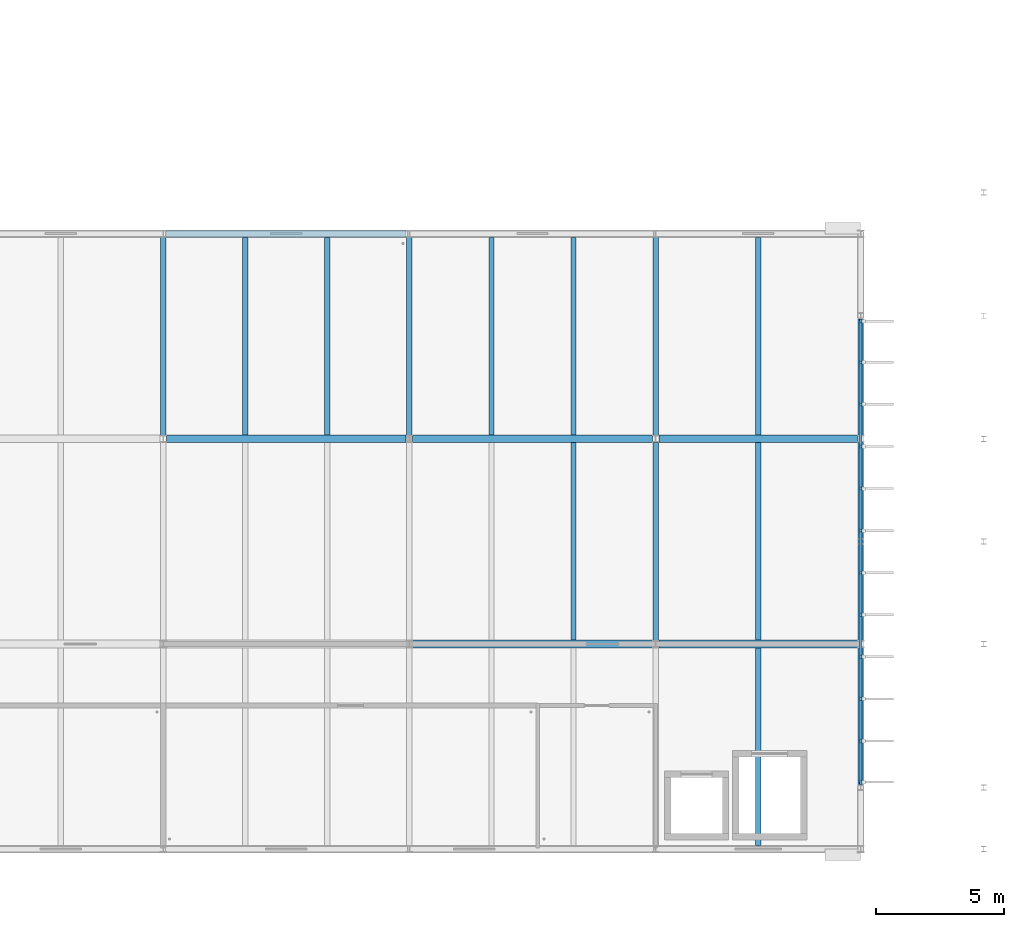
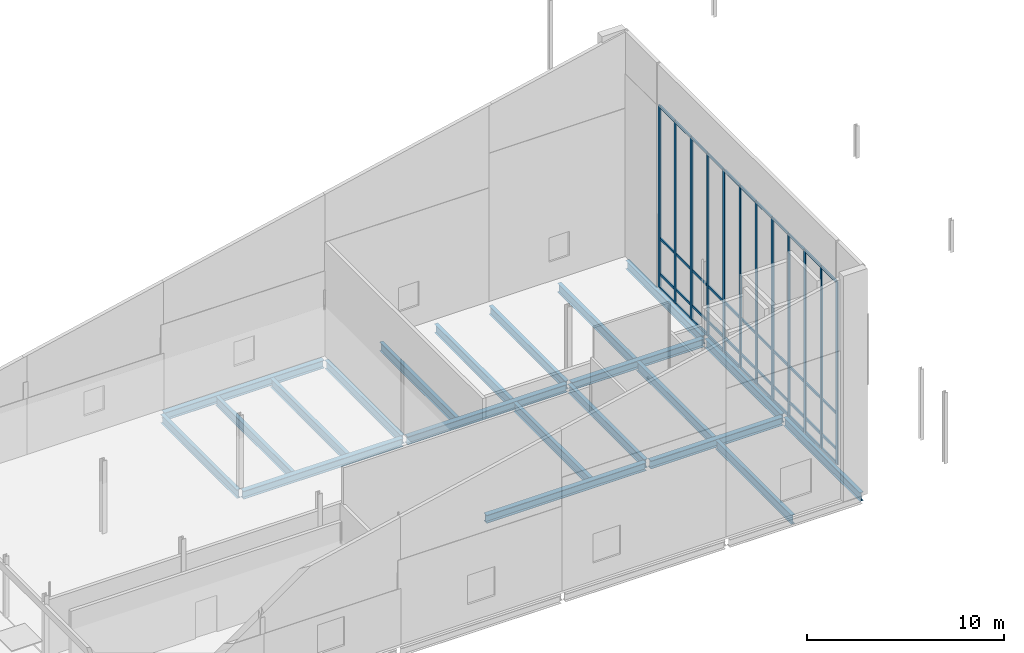
# One storey, part 24 of 59: 56 members, 21 beams, 1 element without a shape of its own.
"""IFC4 building model written with IfcOpenShell, lengths in metres."""

from ifc_helpers import new_model, si_unit, direction, frame, origin, origin_2d, place, context, subcontext, project, spatial, rectangle, i_section, extrude, material, material_profile, profile_set, type_object, element, aggregate, save


model = new_model("IFC4")

# Units and contexts
model_context = context("Model", 3, precision=1e-05, world=origin(), true_north=direction((0.0, 1.0)))
body_context = subcontext(model_context, "Body", "Model", "MODEL_VIEW")
ifc_project = project(units=[si_unit("LENGTHUNIT", "METRE"), si_unit("AREAUNIT", "SQUARE_METRE"), si_unit("VOLUMEUNIT", "CUBIC_METRE"), si_unit("PLANEANGLEUNIT", "RADIAN"), si_unit("MASSUNIT", "GRAM", prefix="KILO")], contexts=[model_context])

# Site, building, storey
site_placement = place(None, origin())
site = spatial("IfcSite", under=ifc_project, at=site_placement, CompositionType="ELEMENT")
building_placement = place(site_placement, origin())
building = spatial("IfcBuilding", under=site, at=building_placement, Name="Dunescarp Central Library", CompositionType="ELEMENT")
storey_placement = place(building_placement, frame((0.0, 0.0, 18.60009765625)))
storey = spatial("IfcBuildingStorey", under=building, at=storey_placement, Name="L04", CompositionType="ELEMENT", Elevation=18.60009765625)

# Curtain wall, members
ifc_material_1 = material(Name="Marine-grade anodised aluminium 6063-T6", Category="aluminium")
curtain_wall_type = type_object("IfcCurtainWallType", Name="ARC-CW-STICK", PredefinedType="NOTDEFINED", material=ifc_material_1)
curtain_wall_placement = place(storey_placement, origin())
curtain_wall = element("IfcCurtainWall", 1, at=curtain_wall_placement, inside=storey, type_object=curtain_wall_type, Name="L04 curtain wall CW-V3-108", PredefinedType="NOTDEFINED")
ifc_material_profile_1 = material_profile(ifc_material_1, rectangle(XDim=0.080078125, YDim=0.179931640625, at=origin_2d()), Name="AL 80x180")
ifc_profile_set_1 = profile_set([ifc_material_profile_1], Name="Marine-grade anodised aluminium 6063-T6")
member_type_1 = type_object("IfcMemberType", Name="ARC-CWM-180", PredefinedType="MULLION", material=ifc_profile_set_1)
member_1_placement = place(storey_placement, frame((124.800048828125, 25.385009765625, 0.0), z_axis=(0.0, 0.0, 1.0), x_axis=(1.0, 0.0, 0.0)))
member_1 = element("IfcMember", 2, at=member_1_placement, type_object=member_type_1, Name="CW-V3-108 mullion 1", PredefinedType="MULLION", context=body_context, shape_type="SweptSolid", body=[
    extrude(rectangle(XDim=0.080078125, YDim=0.179931640625, at=origin_2d()), origin(), (0.0, 0.0, 1.0), 11.2939453125),
])
member_2_placement = place(storey_placement, frame((124.800048828125, 23.7841796875, 0.0), z_axis=(0.0, 0.0, 1.0), x_axis=(1.0, 0.0, 0.0)))
member_2 = element("IfcMember", 3, at=member_2_placement, type_object=member_type_1, Name="CW-V3-108 mullion 2", PredefinedType="MULLION", context=body_context, shape_type="SweptSolid", body=[
    extrude(rectangle(XDim=0.080078125, YDim=0.179931640625, at=origin_2d()), origin(), (0.0, 0.0, 1.0), 11.2939453125),
])
member_3_placement = place(storey_placement, frame((124.800048828125, 22.14306640625, 0.0), z_axis=(0.0, 0.0, 1.0), x_axis=(1.0, 0.0, 0.0)))
member_3 = element("IfcMember", 4, at=member_3_placement, type_object=member_type_1, Name="CW-V3-108 mullion 3", PredefinedType="MULLION", context=body_context, shape_type="SweptSolid", body=[
    extrude(rectangle(XDim=0.080078125, YDim=0.179931640625, at=origin_2d()), origin(), (0.0, 0.0, 1.0), 11.2939453125),
])
member_4_placement = place(storey_placement, frame((124.800048828125, 20.502197265625, 0.0), z_axis=(0.0, 0.0, 1.0), x_axis=(1.0, 0.0, 0.0)))
member_4 = element("IfcMember", 5, at=member_4_placement, type_object=member_type_1, Name="CW-V3-108 mullion 4", PredefinedType="MULLION", context=body_context, shape_type="SweptSolid", body=[
    extrude(rectangle(XDim=0.080078125, YDim=0.179931640625, at=origin_2d()), origin(), (0.0, 0.0, 1.0), 11.2939453125),
])
member_5_placement = place(storey_placement, frame((124.800048828125, 18.861328125, 0.0), z_axis=(0.0, 0.0, 1.0), x_axis=(1.0, 0.0, 0.0)))
member_5 = element("IfcMember", 6, at=member_5_placement, type_object=member_type_1, Name="CW-V3-108 mullion 5", PredefinedType="MULLION", context=body_context, shape_type="SweptSolid", body=[
    extrude(rectangle(XDim=0.080078125, YDim=0.179931640625, at=origin_2d()), origin(), (0.0, 0.0, 1.0), 11.2939453125),
])
member_6_placement = place(storey_placement, frame((124.800048828125, 17.220458984375, 0.0), z_axis=(0.0, 0.0, 1.0), x_axis=(1.0, 0.0, 0.0)))
member_6 = element("IfcMember", 7, at=member_6_placement, type_object=member_type_1, Name="CW-V3-108 mullion 6", PredefinedType="MULLION", context=body_context, shape_type="SweptSolid", body=[
    extrude(rectangle(XDim=0.080078125, YDim=0.179931640625, at=origin_2d()), origin(), (0.0, 0.0, 1.0), 11.2939453125),
])
member_7_placement = place(storey_placement, frame((124.800048828125, 15.57958984375, 0.0), z_axis=(0.0, 0.0, 1.0), x_axis=(1.0, 0.0, 0.0)))
member_7 = element("IfcMember", 8, at=member_7_placement, type_object=member_type_1, Name="CW-V3-108 mullion 7", PredefinedType="MULLION", context=body_context, shape_type="SweptSolid", body=[
    extrude(rectangle(XDim=0.080078125, YDim=0.179931640625, at=origin_2d()), origin(), (0.0, 0.0, 1.0), 11.2939453125),
])
member_8_placement = place(storey_placement, frame((124.800048828125, 13.938720703125, 0.0), z_axis=(0.0, 0.0, 1.0), x_axis=(1.0, 0.0, 0.0)))
member_8 = element("IfcMember", 9, at=member_8_placement, type_object=member_type_1, Name="CW-V3-108 mullion 8", PredefinedType="MULLION", context=body_context, shape_type="SweptSolid", body=[
    extrude(rectangle(XDim=0.080078125, YDim=0.179931640625, at=origin_2d()), origin(), (0.0, 0.0, 1.0), 11.2939453125),
])
member_9_placement = place(storey_placement, frame((124.800048828125, 12.297607421875, 0.0), z_axis=(0.0, 0.0, 1.0), x_axis=(1.0, 0.0, 0.0)))
member_9 = element("IfcMember", 10, at=member_9_placement, type_object=member_type_1, Name="CW-V3-108 mullion 9", PredefinedType="MULLION", context=body_context, shape_type="SweptSolid", body=[
    extrude(rectangle(XDim=0.080078125, YDim=0.179931640625, at=origin_2d()), origin(), (0.0, 0.0, 1.0), 11.2939453125),
])
member_10_placement = place(storey_placement, frame((124.800048828125, 10.65673828125, 0.0), z_axis=(0.0, 0.0, 1.0), x_axis=(1.0, 0.0, 0.0)))
member_10 = element("IfcMember", 11, at=member_10_placement, type_object=member_type_1, Name="CW-V3-108 mullion 10", PredefinedType="MULLION", context=body_context, shape_type="SweptSolid", body=[
    extrude(rectangle(XDim=0.080078125, YDim=0.179931640625, at=origin_2d()), origin(), (0.0, 0.0, 1.0), 11.2939453125),
])
member_11_placement = place(storey_placement, frame((124.800048828125, 9.015869140625, 0.0), z_axis=(0.0, 0.0, 1.0), x_axis=(1.0, 0.0, 0.0)))
member_11 = element("IfcMember", 12, at=member_11_placement, type_object=member_type_1, Name="CW-V3-108 mullion 11", PredefinedType="MULLION", context=body_context, shape_type="SweptSolid", body=[
    extrude(rectangle(XDim=0.080078125, YDim=0.179931640625, at=origin_2d()), origin(), (0.0, 0.0, 1.0), 11.2939453125),
])
member_12_placement = place(storey_placement, frame((124.800048828125, 7.4150390625, 0.0), z_axis=(0.0, 0.0, 1.0), x_axis=(1.0, 0.0, 0.0)))
member_12 = element("IfcMember", 13, at=member_12_placement, type_object=member_type_1, Name="CW-V3-108 mullion 12", PredefinedType="MULLION", context=body_context, shape_type="SweptSolid", body=[
    extrude(rectangle(XDim=0.080078125, YDim=0.179931640625, at=origin_2d()), origin(), (0.0, 0.0, 1.0), 11.2939453125),
])
ifc_material_profile_2 = material_profile(ifc_material_1, rectangle(XDim=0.080078125, YDim=0.14990234375, at=origin_2d()), Name="AL 80x150")
ifc_profile_set_2 = profile_set([ifc_material_profile_2], Name="Marine-grade anodised aluminium 6063-T6")
member_type_2 = type_object("IfcMemberType", Name="ARC-CWT-150", PredefinedType="USERDEFINED", material=ifc_profile_set_2)
member_13_placement = place(storey_placement, frame((124.800048828125, 25.344970703125, 0.039794921875), z_axis=(0.0, -1.0, 0.0), x_axis=(1.0, 0.0, 0.0)))
member_13 = element("IfcMember", 14, at=member_13_placement, type_object=member_type_2, Name="CW-V3-108 transom 1.1", ObjectType="TRANSOM", PredefinedType="USERDEFINED", context=body_context, shape_type="SweptSolid", body=[
    extrude(rectangle(XDim=0.080078125, YDim=0.14990234375, at=origin_2d()), origin(), (0.0, 0.0, 1.0), 1.52099609375),
])
member_14_placement = place(storey_placement, frame((124.800048828125, 25.344970703125, 0.89990234375), z_axis=(0.0, -1.0, 0.0), x_axis=(1.0, 0.0, 0.0)))
member_14 = element("IfcMember", 15, at=member_14_placement, type_object=member_type_2, Name="CW-V3-108 transom 1.2", ObjectType="TRANSOM", PredefinedType="USERDEFINED", context=body_context, shape_type="SweptSolid", body=[
    extrude(rectangle(XDim=0.080078125, YDim=0.14990234375, at=origin_2d()), origin(), (0.0, 0.0, 1.0), 1.52099609375),
])
member_15_placement = place(storey_placement, frame((124.800048828125, 25.344970703125, 3.099853515625), z_axis=(0.0, -1.0, 0.0), x_axis=(1.0, 0.0, 0.0)))
member_15 = element("IfcMember", 16, at=member_15_placement, type_object=member_type_2, Name="CW-V3-108 transom 1.3", ObjectType="TRANSOM", PredefinedType="USERDEFINED", context=body_context, shape_type="SweptSolid", body=[
    extrude(rectangle(XDim=0.080078125, YDim=0.14990234375, at=origin_2d()), origin(), (0.0, 0.0, 1.0), 1.52099609375),
])
member_16_placement = place(storey_placement, frame((124.800048828125, 25.344970703125, 11.25390625), z_axis=(0.0, -1.0, 0.0), x_axis=(1.0, 0.0, 0.0)))
member_16 = element("IfcMember", 17, at=member_16_placement, type_object=member_type_2, Name="CW-V3-108 transom 1.4", ObjectType="TRANSOM", PredefinedType="USERDEFINED", context=body_context, shape_type="SweptSolid", body=[
    extrude(rectangle(XDim=0.080078125, YDim=0.14990234375, at=origin_2d()), origin(), (0.0, 0.0, 1.0), 1.52099609375),
])
member_17_placement = place(storey_placement, frame((124.800048828125, 23.744140625, 0.039794921875), z_axis=(0.0, -1.0, 0.0), x_axis=(1.0, 0.0, 0.0)))
member_17 = element("IfcMember", 18, at=member_17_placement, type_object=member_type_2, Name="CW-V3-108 transom 2.1", ObjectType="TRANSOM", PredefinedType="USERDEFINED", context=body_context, shape_type="SweptSolid", body=[
    extrude(rectangle(XDim=0.080078125, YDim=0.14990234375, at=origin_2d()), origin(), (0.0, 0.0, 1.0), 1.56103515625),
])
member_18_placement = place(storey_placement, frame((124.800048828125, 23.744140625, 0.89990234375), z_axis=(0.0, -1.0, 0.0), x_axis=(1.0, 0.0, 0.0)))
member_18 = element("IfcMember", 19, at=member_18_placement, type_object=member_type_2, Name="CW-V3-108 transom 2.2", ObjectType="TRANSOM", PredefinedType="USERDEFINED", context=body_context, shape_type="SweptSolid", body=[
    extrude(rectangle(XDim=0.080078125, YDim=0.14990234375, at=origin_2d()), origin(), (0.0, 0.0, 1.0), 1.56103515625),
])
member_19_placement = place(storey_placement, frame((124.800048828125, 23.744140625, 3.099853515625), z_axis=(0.0, -1.0, 0.0), x_axis=(1.0, 0.0, 0.0)))
member_19 = element("IfcMember", 20, at=member_19_placement, type_object=member_type_2, Name="CW-V3-108 transom 2.3", ObjectType="TRANSOM", PredefinedType="USERDEFINED", context=body_context, shape_type="SweptSolid", body=[
    extrude(rectangle(XDim=0.080078125, YDim=0.14990234375, at=origin_2d()), origin(), (0.0, 0.0, 1.0), 1.56103515625),
])
member_20_placement = place(storey_placement, frame((124.800048828125, 23.744140625, 11.25390625), z_axis=(0.0, -1.0, 0.0), x_axis=(1.0, 0.0, 0.0)))
member_20 = element("IfcMember", 21, at=member_20_placement, type_object=member_type_2, Name="CW-V3-108 transom 2.4", ObjectType="TRANSOM", PredefinedType="USERDEFINED", context=body_context, shape_type="SweptSolid", body=[
    extrude(rectangle(XDim=0.080078125, YDim=0.14990234375, at=origin_2d()), origin(), (0.0, 0.0, 1.0), 1.56103515625),
])
member_21_placement = place(storey_placement, frame((124.800048828125, 22.103271484375, 0.039794921875), z_axis=(0.0, -1.0, 0.0), x_axis=(1.0, 0.0, 0.0)))
member_21 = element("IfcMember", 22, at=member_21_placement, type_object=member_type_2, Name="CW-V3-108 transom 3.1", ObjectType="TRANSOM", PredefinedType="USERDEFINED", context=body_context, shape_type="SweptSolid", body=[
    extrude(rectangle(XDim=0.080078125, YDim=0.14990234375, at=origin_2d()), origin(), (0.0, 0.0, 1.0), 1.56103515625),
])
member_22_placement = place(storey_placement, frame((124.800048828125, 22.103271484375, 0.89990234375), z_axis=(0.0, -1.0, 0.0), x_axis=(1.0, 0.0, 0.0)))
member_22 = element("IfcMember", 23, at=member_22_placement, type_object=member_type_2, Name="CW-V3-108 transom 3.2", ObjectType="TRANSOM", PredefinedType="USERDEFINED", context=body_context, shape_type="SweptSolid", body=[
    extrude(rectangle(XDim=0.080078125, YDim=0.14990234375, at=origin_2d()), origin(), (0.0, 0.0, 1.0), 1.56103515625),
])
member_23_placement = place(storey_placement, frame((124.800048828125, 22.103271484375, 3.099853515625), z_axis=(0.0, -1.0, 0.0), x_axis=(1.0, 0.0, 0.0)))
member_23 = element("IfcMember", 24, at=member_23_placement, type_object=member_type_2, Name="CW-V3-108 transom 3.3", ObjectType="TRANSOM", PredefinedType="USERDEFINED", context=body_context, shape_type="SweptSolid", body=[
    extrude(rectangle(XDim=0.080078125, YDim=0.14990234375, at=origin_2d()), origin(), (0.0, 0.0, 1.0), 1.56103515625),
])
member_24_placement = place(storey_placement, frame((124.800048828125, 22.103271484375, 11.25390625), z_axis=(0.0, -1.0, 0.0), x_axis=(1.0, 0.0, 0.0)))
member_24 = element("IfcMember", 25, at=member_24_placement, type_object=member_type_2, Name="CW-V3-108 transom 3.4", ObjectType="TRANSOM", PredefinedType="USERDEFINED", context=body_context, shape_type="SweptSolid", body=[
    extrude(rectangle(XDim=0.080078125, YDim=0.14990234375, at=origin_2d()), origin(), (0.0, 0.0, 1.0), 1.56103515625),
])
member_25_placement = place(storey_placement, frame((124.800048828125, 20.462158203125, 0.039794921875), z_axis=(0.0, -1.0, 0.0), x_axis=(1.0, 0.0, 0.0)))
member_25 = element("IfcMember", 26, at=member_25_placement, type_object=member_type_2, Name="CW-V3-108 transom 4.1", ObjectType="TRANSOM", PredefinedType="USERDEFINED", context=body_context, shape_type="SweptSolid", body=[
    extrude(rectangle(XDim=0.080078125, YDim=0.14990234375, at=origin_2d()), origin(), (0.0, 0.0, 1.0), 1.560791015625),
])
member_26_placement = place(storey_placement, frame((124.800048828125, 20.462158203125, 0.89990234375), z_axis=(0.0, -1.0, 0.0), x_axis=(1.0, 0.0, 0.0)))
member_26 = element("IfcMember", 27, at=member_26_placement, type_object=member_type_2, Name="CW-V3-108 transom 4.2", ObjectType="TRANSOM", PredefinedType="USERDEFINED", context=body_context, shape_type="SweptSolid", body=[
    extrude(rectangle(XDim=0.080078125, YDim=0.14990234375, at=origin_2d()), origin(), (0.0, 0.0, 1.0), 1.560791015625),
])
member_27_placement = place(storey_placement, frame((124.800048828125, 20.462158203125, 3.099853515625), z_axis=(0.0, -1.0, 0.0), x_axis=(1.0, 0.0, 0.0)))
member_27 = element("IfcMember", 28, at=member_27_placement, type_object=member_type_2, Name="CW-V3-108 transom 4.3", ObjectType="TRANSOM", PredefinedType="USERDEFINED", context=body_context, shape_type="SweptSolid", body=[
    extrude(rectangle(XDim=0.080078125, YDim=0.14990234375, at=origin_2d()), origin(), (0.0, 0.0, 1.0), 1.560791015625),
])
member_28_placement = place(storey_placement, frame((124.800048828125, 20.462158203125, 11.25390625), z_axis=(0.0, -1.0, 0.0), x_axis=(1.0, 0.0, 0.0)))
member_28 = element("IfcMember", 29, at=member_28_placement, type_object=member_type_2, Name="CW-V3-108 transom 4.4", ObjectType="TRANSOM", PredefinedType="USERDEFINED", context=body_context, shape_type="SweptSolid", body=[
    extrude(rectangle(XDim=0.080078125, YDim=0.14990234375, at=origin_2d()), origin(), (0.0, 0.0, 1.0), 1.560791015625),
])
member_29_placement = place(storey_placement, frame((124.800048828125, 18.8212890625, 0.039794921875), z_axis=(0.0, -1.0, 0.0), x_axis=(1.0, 0.0, 0.0)))
member_29 = element("IfcMember", 30, at=member_29_placement, type_object=member_type_2, Name="CW-V3-108 transom 5.1", ObjectType="TRANSOM", PredefinedType="USERDEFINED", context=body_context, shape_type="SweptSolid", body=[
    extrude(rectangle(XDim=0.080078125, YDim=0.14990234375, at=origin_2d()), origin(), (0.0, 0.0, 1.0), 1.560791015625),
])
member_30_placement = place(storey_placement, frame((124.800048828125, 18.8212890625, 0.89990234375), z_axis=(0.0, -1.0, 0.0), x_axis=(1.0, 0.0, 0.0)))
member_30 = element("IfcMember", 31, at=member_30_placement, type_object=member_type_2, Name="CW-V3-108 transom 5.2", ObjectType="TRANSOM", PredefinedType="USERDEFINED", context=body_context, shape_type="SweptSolid", body=[
    extrude(rectangle(XDim=0.080078125, YDim=0.14990234375, at=origin_2d()), origin(), (0.0, 0.0, 1.0), 1.560791015625),
])
member_31_placement = place(storey_placement, frame((124.800048828125, 18.8212890625, 3.099853515625), z_axis=(0.0, -1.0, 0.0), x_axis=(1.0, 0.0, 0.0)))
member_31 = element("IfcMember", 32, at=member_31_placement, type_object=member_type_2, Name="CW-V3-108 transom 5.3", ObjectType="TRANSOM", PredefinedType="USERDEFINED", context=body_context, shape_type="SweptSolid", body=[
    extrude(rectangle(XDim=0.080078125, YDim=0.14990234375, at=origin_2d()), origin(), (0.0, 0.0, 1.0), 1.560791015625),
])
member_32_placement = place(storey_placement, frame((124.800048828125, 18.8212890625, 11.25390625), z_axis=(0.0, -1.0, 0.0), x_axis=(1.0, 0.0, 0.0)))
member_32 = element("IfcMember", 33, at=member_32_placement, type_object=member_type_2, Name="CW-V3-108 transom 5.4", ObjectType="TRANSOM", PredefinedType="USERDEFINED", context=body_context, shape_type="SweptSolid", body=[
    extrude(rectangle(XDim=0.080078125, YDim=0.14990234375, at=origin_2d()), origin(), (0.0, 0.0, 1.0), 1.560791015625),
])
member_33_placement = place(storey_placement, frame((124.800048828125, 17.180419921875, 0.039794921875), z_axis=(0.0, -1.0, 0.0), x_axis=(1.0, 0.0, 0.0)))
member_33 = element("IfcMember", 34, at=member_33_placement, type_object=member_type_2, Name="CW-V3-108 transom 6.1", ObjectType="TRANSOM", PredefinedType="USERDEFINED", context=body_context, shape_type="SweptSolid", body=[
    extrude(rectangle(XDim=0.080078125, YDim=0.14990234375, at=origin_2d()), origin(), (0.0, 0.0, 1.0), 1.560791015625),
])
member_34_placement = place(storey_placement, frame((124.800048828125, 17.180419921875, 0.89990234375), z_axis=(0.0, -1.0, 0.0), x_axis=(1.0, 0.0, 0.0)))
member_34 = element("IfcMember", 35, at=member_34_placement, type_object=member_type_2, Name="CW-V3-108 transom 6.2", ObjectType="TRANSOM", PredefinedType="USERDEFINED", context=body_context, shape_type="SweptSolid", body=[
    extrude(rectangle(XDim=0.080078125, YDim=0.14990234375, at=origin_2d()), origin(), (0.0, 0.0, 1.0), 1.560791015625),
])
member_35_placement = place(storey_placement, frame((124.800048828125, 17.180419921875, 3.099853515625), z_axis=(0.0, -1.0, 0.0), x_axis=(1.0, 0.0, 0.0)))
member_35 = element("IfcMember", 36, at=member_35_placement, type_object=member_type_2, Name="CW-V3-108 transom 6.3", ObjectType="TRANSOM", PredefinedType="USERDEFINED", context=body_context, shape_type="SweptSolid", body=[
    extrude(rectangle(XDim=0.080078125, YDim=0.14990234375, at=origin_2d()), origin(), (0.0, 0.0, 1.0), 1.560791015625),
])
member_36_placement = place(storey_placement, frame((124.800048828125, 17.180419921875, 11.25390625), z_axis=(0.0, -1.0, 0.0), x_axis=(1.0, 0.0, 0.0)))
member_36 = element("IfcMember", 37, at=member_36_placement, type_object=member_type_2, Name="CW-V3-108 transom 6.4", ObjectType="TRANSOM", PredefinedType="USERDEFINED", context=body_context, shape_type="SweptSolid", body=[
    extrude(rectangle(XDim=0.080078125, YDim=0.14990234375, at=origin_2d()), origin(), (0.0, 0.0, 1.0), 1.560791015625),
])
member_37_placement = place(storey_placement, frame((124.800048828125, 15.53955078125, 0.039794921875), z_axis=(0.0, -1.0, 0.0), x_axis=(1.0, 0.0, 0.0)))
member_37 = element("IfcMember", 38, at=member_37_placement, type_object=member_type_2, Name="CW-V3-108 transom 7.1", ObjectType="TRANSOM", PredefinedType="USERDEFINED", context=body_context, shape_type="SweptSolid", body=[
    extrude(rectangle(XDim=0.080078125, YDim=0.14990234375, at=origin_2d()), origin(), (0.0, 0.0, 1.0), 1.56103515625),
])
member_38_placement = place(storey_placement, frame((124.800048828125, 15.53955078125, 0.89990234375), z_axis=(0.0, -1.0, 0.0), x_axis=(1.0, 0.0, 0.0)))
member_38 = element("IfcMember", 39, at=member_38_placement, type_object=member_type_2, Name="CW-V3-108 transom 7.2", ObjectType="TRANSOM", PredefinedType="USERDEFINED", context=body_context, shape_type="SweptSolid", body=[
    extrude(rectangle(XDim=0.080078125, YDim=0.14990234375, at=origin_2d()), origin(), (0.0, 0.0, 1.0), 1.56103515625),
])
member_39_placement = place(storey_placement, frame((124.800048828125, 15.53955078125, 3.099853515625), z_axis=(0.0, -1.0, 0.0), x_axis=(1.0, 0.0, 0.0)))
member_39 = element("IfcMember", 40, at=member_39_placement, type_object=member_type_2, Name="CW-V3-108 transom 7.3", ObjectType="TRANSOM", PredefinedType="USERDEFINED", context=body_context, shape_type="SweptSolid", body=[
    extrude(rectangle(XDim=0.080078125, YDim=0.14990234375, at=origin_2d()), origin(), (0.0, 0.0, 1.0), 1.56103515625),
])
member_40_placement = place(storey_placement, frame((124.800048828125, 15.53955078125, 11.25390625), z_axis=(0.0, -1.0, 0.0), x_axis=(1.0, 0.0, 0.0)))
member_40 = element("IfcMember", 41, at=member_40_placement, type_object=member_type_2, Name="CW-V3-108 transom 7.4", ObjectType="TRANSOM", PredefinedType="USERDEFINED", context=body_context, shape_type="SweptSolid", body=[
    extrude(rectangle(XDim=0.080078125, YDim=0.14990234375, at=origin_2d()), origin(), (0.0, 0.0, 1.0), 1.56103515625),
])
member_41_placement = place(storey_placement, frame((124.800048828125, 13.898681640625, 0.039794921875), z_axis=(0.0, -1.0, 0.0), x_axis=(1.0, 0.0, 0.0)))
member_41 = element("IfcMember", 42, at=member_41_placement, type_object=member_type_2, Name="CW-V3-108 transom 8.1", ObjectType="TRANSOM", PredefinedType="USERDEFINED", context=body_context, shape_type="SweptSolid", body=[
    extrude(rectangle(XDim=0.080078125, YDim=0.14990234375, at=origin_2d()), origin(), (0.0, 0.0, 1.0), 1.56103515625),
])
member_42_placement = place(storey_placement, frame((124.800048828125, 13.898681640625, 0.89990234375), z_axis=(0.0, -1.0, 0.0), x_axis=(1.0, 0.0, 0.0)))
member_42 = element("IfcMember", 43, at=member_42_placement, type_object=member_type_2, Name="CW-V3-108 transom 8.2", ObjectType="TRANSOM", PredefinedType="USERDEFINED", context=body_context, shape_type="SweptSolid", body=[
    extrude(rectangle(XDim=0.080078125, YDim=0.14990234375, at=origin_2d()), origin(), (0.0, 0.0, 1.0), 1.56103515625),
])
member_43_placement = place(storey_placement, frame((124.800048828125, 13.898681640625, 3.099853515625), z_axis=(0.0, -1.0, 0.0), x_axis=(1.0, 0.0, 0.0)))
member_43 = element("IfcMember", 44, at=member_43_placement, type_object=member_type_2, Name="CW-V3-108 transom 8.3", ObjectType="TRANSOM", PredefinedType="USERDEFINED", context=body_context, shape_type="SweptSolid", body=[
    extrude(rectangle(XDim=0.080078125, YDim=0.14990234375, at=origin_2d()), origin(), (0.0, 0.0, 1.0), 1.56103515625),
])
member_44_placement = place(storey_placement, frame((124.800048828125, 13.898681640625, 11.25390625), z_axis=(0.0, -1.0, 0.0), x_axis=(1.0, 0.0, 0.0)))
member_44 = element("IfcMember", 45, at=member_44_placement, type_object=member_type_2, Name="CW-V3-108 transom 8.4", ObjectType="TRANSOM", PredefinedType="USERDEFINED", context=body_context, shape_type="SweptSolid", body=[
    extrude(rectangle(XDim=0.080078125, YDim=0.14990234375, at=origin_2d()), origin(), (0.0, 0.0, 1.0), 1.56103515625),
])
member_45_placement = place(storey_placement, frame((124.800048828125, 12.2578125, 0.039794921875), z_axis=(0.0, -1.0, 0.0), x_axis=(1.0, 0.0, 0.0)))
member_45 = element("IfcMember", 46, at=member_45_placement, type_object=member_type_2, Name="CW-V3-108 transom 9.1", ObjectType="TRANSOM", PredefinedType="USERDEFINED", context=body_context, shape_type="SweptSolid", body=[
    extrude(rectangle(XDim=0.080078125, YDim=0.14990234375, at=origin_2d()), origin(), (0.0, 0.0, 1.0), 1.56103515625),
])
member_46_placement = place(storey_placement, frame((124.800048828125, 12.2578125, 0.89990234375), z_axis=(0.0, -1.0, 0.0), x_axis=(1.0, 0.0, 0.0)))
member_46 = element("IfcMember", 47, at=member_46_placement, type_object=member_type_2, Name="CW-V3-108 transom 9.2", ObjectType="TRANSOM", PredefinedType="USERDEFINED", context=body_context, shape_type="SweptSolid", body=[
    extrude(rectangle(XDim=0.080078125, YDim=0.14990234375, at=origin_2d()), origin(), (0.0, 0.0, 1.0), 1.56103515625),
])
member_47_placement = place(storey_placement, frame((124.800048828125, 12.2578125, 3.099853515625), z_axis=(0.0, -1.0, 0.0), x_axis=(1.0, 0.0, 0.0)))
member_47 = element("IfcMember", 48, at=member_47_placement, type_object=member_type_2, Name="CW-V3-108 transom 9.3", ObjectType="TRANSOM", PredefinedType="USERDEFINED", context=body_context, shape_type="SweptSolid", body=[
    extrude(rectangle(XDim=0.080078125, YDim=0.14990234375, at=origin_2d()), origin(), (0.0, 0.0, 1.0), 1.56103515625),
])
member_48_placement = place(storey_placement, frame((124.800048828125, 12.2578125, 11.25390625), z_axis=(0.0, -1.0, 0.0), x_axis=(1.0, 0.0, 0.0)))
member_48 = element("IfcMember", 49, at=member_48_placement, type_object=member_type_2, Name="CW-V3-108 transom 9.4", ObjectType="TRANSOM", PredefinedType="USERDEFINED", context=body_context, shape_type="SweptSolid", body=[
    extrude(rectangle(XDim=0.080078125, YDim=0.14990234375, at=origin_2d()), origin(), (0.0, 0.0, 1.0), 1.56103515625),
])
member_49_placement = place(storey_placement, frame((124.800048828125, 10.61669921875, 0.039794921875), z_axis=(0.0, -1.0, 0.0), x_axis=(1.0, 0.0, 0.0)))
member_49 = element("IfcMember", 50, at=member_49_placement, type_object=member_type_2, Name="CW-V3-108 transom 10.1", ObjectType="TRANSOM", PredefinedType="USERDEFINED", context=body_context, shape_type="SweptSolid", body=[
    extrude(rectangle(XDim=0.080078125, YDim=0.14990234375, at=origin_2d()), origin(), (0.0, 0.0, 1.0), 1.560791015625),
])
member_50_placement = place(storey_placement, frame((124.800048828125, 10.61669921875, 0.89990234375), z_axis=(0.0, -1.0, 0.0), x_axis=(1.0, 0.0, 0.0)))
member_50 = element("IfcMember", 51, at=member_50_placement, type_object=member_type_2, Name="CW-V3-108 transom 10.2", ObjectType="TRANSOM", PredefinedType="USERDEFINED", context=body_context, shape_type="SweptSolid", body=[
    extrude(rectangle(XDim=0.080078125, YDim=0.14990234375, at=origin_2d()), origin(), (0.0, 0.0, 1.0), 1.560791015625),
])
member_51_placement = place(storey_placement, frame((124.800048828125, 10.61669921875, 3.099853515625), z_axis=(0.0, -1.0, 0.0), x_axis=(1.0, 0.0, 0.0)))
member_51 = element("IfcMember", 52, at=member_51_placement, type_object=member_type_2, Name="CW-V3-108 transom 10.3", ObjectType="TRANSOM", PredefinedType="USERDEFINED", context=body_context, shape_type="SweptSolid", body=[
    extrude(rectangle(XDim=0.080078125, YDim=0.14990234375, at=origin_2d()), origin(), (0.0, 0.0, 1.0), 1.560791015625),
])
member_52_placement = place(storey_placement, frame((124.800048828125, 10.61669921875, 11.25390625), z_axis=(0.0, -1.0, 0.0), x_axis=(1.0, 0.0, 0.0)))
member_52 = element("IfcMember", 53, at=member_52_placement, type_object=member_type_2, Name="CW-V3-108 transom 10.4", ObjectType="TRANSOM", PredefinedType="USERDEFINED", context=body_context, shape_type="SweptSolid", body=[
    extrude(rectangle(XDim=0.080078125, YDim=0.14990234375, at=origin_2d()), origin(), (0.0, 0.0, 1.0), 1.560791015625),
])
member_53_placement = place(storey_placement, frame((124.800048828125, 8.975830078125, 0.039794921875), z_axis=(0.0, -1.0, 0.0), x_axis=(1.0, 0.0, 0.0)))
member_53 = element("IfcMember", 54, at=member_53_placement, type_object=member_type_2, Name="CW-V3-108 transom 11.1", ObjectType="TRANSOM", PredefinedType="USERDEFINED", context=body_context, shape_type="SweptSolid", body=[
    extrude(rectangle(XDim=0.080078125, YDim=0.14990234375, at=origin_2d()), origin(), (0.0, 0.0, 1.0), 1.520751953125),
])
member_54_placement = place(storey_placement, frame((124.800048828125, 8.975830078125, 0.89990234375), z_axis=(0.0, -1.0, 0.0), x_axis=(1.0, 0.0, 0.0)))
member_54 = element("IfcMember", 55, at=member_54_placement, type_object=member_type_2, Name="CW-V3-108 transom 11.2", ObjectType="TRANSOM", PredefinedType="USERDEFINED", context=body_context, shape_type="SweptSolid", body=[
    extrude(rectangle(XDim=0.080078125, YDim=0.14990234375, at=origin_2d()), origin(), (0.0, 0.0, 1.0), 1.520751953125),
])
member_55_placement = place(storey_placement, frame((124.800048828125, 8.975830078125, 3.099853515625), z_axis=(0.0, -1.0, 0.0), x_axis=(1.0, 0.0, 0.0)))
member_55 = element("IfcMember", 56, at=member_55_placement, type_object=member_type_2, Name="CW-V3-108 transom 11.3", ObjectType="TRANSOM", PredefinedType="USERDEFINED", context=body_context, shape_type="SweptSolid", body=[
    extrude(rectangle(XDim=0.080078125, YDim=0.14990234375, at=origin_2d()), origin(), (0.0, 0.0, 1.0), 1.520751953125),
])
member_56_placement = place(storey_placement, frame((124.800048828125, 8.975830078125, 11.25390625), z_axis=(0.0, -1.0, 0.0), x_axis=(1.0, 0.0, 0.0)))
member_56 = element("IfcMember", 57, at=member_56_placement, type_object=member_type_2, Name="CW-V3-108 transom 11.4", ObjectType="TRANSOM", PredefinedType="USERDEFINED", context=body_context, shape_type="SweptSolid", body=[
    extrude(rectangle(XDim=0.080078125, YDim=0.14990234375, at=origin_2d()), origin(), (0.0, 0.0, 1.0), 1.520751953125),
])
aggregate(curtain_wall, [member_1, member_2, member_3, member_4, member_5, member_6, member_7, member_8, member_9, member_10, member_11, member_12, member_13, member_14, member_15, member_16, member_17, member_18, member_19, member_20, member_21, member_22, member_23, member_24, member_25, member_26, member_27, member_28, member_29, member_30, member_31, member_32, member_33, member_34, member_35, member_36, member_37, member_38, member_39, member_40, member_41, member_42, member_43, member_44, member_45, member_46, member_47, member_48, member_49, member_50, member_51, member_52, member_53, member_54, member_55, member_56])

# Beams
ifc_material_2 = material(Name="Steel S355JR", Category="steel")
ifc_material_profile_3 = material_profile(ifc_material_2, i_section(OverallWidth=0.300048828125, OverallDepth=0.489990234375, WebThickness=0.011962890625, FlangeThickness=0.02294921875, at=origin_2d()), Name="HEA 500")
ifc_profile_set_3 = profile_set([ifc_material_profile_3], Name="Steel S355JR")
beam_type_1 = type_object("IfcBeamType", Name="STR-BM-HEA500", PredefinedType="BEAM", material=ifc_profile_set_3)
for number, where, z_axis, x_axis, name in (
    (58, (97.72802734375, 20.800048828125, -0.4951171875), (1.0, 0.0, 0.0), (0.0, 1.0, 0.0), "L04 girder BM-L04-0914"),
    (59, (97.72802734375, 28.800048828125, -0.4951171875), (1.0, 0.0, 0.0), (0.0, 1.0, 0.0), "L04 girder BM-L04-0918"),
):
    element("IfcBeam", number, at=place(storey_placement, frame(where, z_axis=z_axis, x_axis=x_axis)), inside=storey, type_object=beam_type_1, Name=name, PredefinedType="BEAM", context=body_context, shape_type="SweptSolid", body=[
        extrude(i_section(OverallWidth=0.300048828125, OverallDepth=0.489990234375, WebThickness=0.011962890625, FlangeThickness=0.02294921875, at=origin_2d()), origin(), (0.0, 0.0, 1.0), 9.343994140625),
    ])
for number, where, z_axis, x_axis, name in (
    (60, (107.327880859375, 12.800048828125, -0.4951171875), (1.0, 0.0, 0.0), (0.0, 1.0, 0.0), "L04 girder BM-L04-0923"),
    (61, (107.327880859375, 20.800048828125, -0.4951171875), (1.0, 0.0, 0.0), (0.0, 1.0, 0.0), "L04 girder BM-L04-0927"),
):
    element("IfcBeam", number, at=place(storey_placement, frame(where, z_axis=z_axis, x_axis=x_axis)), inside=storey, type_object=beam_type_1, Name=name, PredefinedType="BEAM", context=body_context, shape_type="SweptSolid", body=[
        extrude(i_section(OverallWidth=0.300048828125, OverallDepth=0.489990234375, WebThickness=0.011962890625, FlangeThickness=0.02294921875, at=origin_2d()), origin(), (0.0, 0.0, 1.0), 9.34423828125),
    ])
for number, where, z_axis, x_axis, name in (
    (62, (116.927978515625, 12.800048828125, -0.4951171875), (1.0, 0.0, 0.0), (0.0, 1.0, 0.0), "L04 girder BM-L04-0936"),
    (63, (116.927978515625, 20.800048828125, -0.4951171875), (1.0, 0.0, 0.0), (0.0, 1.0, 0.0), "L04 girder BM-L04-0939"),
):
    element("IfcBeam", number, at=place(storey_placement, frame(where, z_axis=z_axis, x_axis=x_axis)), inside=storey, type_object=beam_type_1, Name=name, PredefinedType="BEAM", context=body_context, shape_type="SweptSolid", body=[
        extrude(i_section(OverallWidth=0.300048828125, OverallDepth=0.489990234375, WebThickness=0.011962890625, FlangeThickness=0.02294921875, at=origin_2d()), origin(), (0.0, 0.0, 1.0), 7.744140625),
    ])
ifc_material_profile_4 = material_profile(ifc_material_2, i_section(OverallWidth=0.210693359375, OverallDepth=0.53955078125, WebThickness=0.01171875, FlangeThickness=0.018798828125, at=origin_2d()), Name="UB 533x210x109")
ifc_profile_set_4 = profile_set([ifc_material_profile_4], Name="Steel S355JR")
beam_type_2 = type_object("IfcBeamType", Name="STR-BM-UB533X109", PredefinedType="BEAM", material=ifc_profile_set_4)
for number, where, z_axis, x_axis, name in (
    (64, (97.60009765625, 20.93505859375, -0.52001953125), (0.0, 1.0, 0.0), (-1.0, 0.0, 0.0), "L04 girder BM-L04-0907"),
    (65, (107.199951171875, 20.93505859375, -0.52001953125), (0.0, 1.0, 0.0), (-1.0, 0.0, 0.0), "L04 girder BM-L04-0919"),
    (66, (116.800048828125, 12.93505859375, -0.52001953125), (0.0, 1.0, 0.0), (-1.0, 0.0, 0.0), "L04 girder BM-L04-0928"),
    (67, (116.800048828125, 20.93505859375, -0.52001953125), (0.0, 1.0, 0.0), (-1.0, 0.0, 0.0), "L04 girder BM-L04-0932"),
    (68, (124.800048828125, 4.93505859375, -0.52001953125), (0.0, 1.0, 0.0), (-1.0, 0.0, 0.0), "L04 girder BM-L04-0937"),
    (69, (124.800048828125, 12.93505859375, -0.52001953125), (0.0, 1.0, 0.0), (-1.0, 0.0, 0.0), "L04 girder BM-L04-0940"),
    (70, (124.800048828125, 20.93505859375, -0.52001953125), (0.0, 1.0, 0.0), (-1.0, 0.0, 0.0), "L04 girder BM-L04-0943"),
):
    element("IfcBeam", number, at=place(storey_placement, frame(where, z_axis=z_axis, x_axis=x_axis)), inside=storey, type_object=beam_type_2, Name=name, PredefinedType="BEAM", context=body_context, shape_type="SweptSolid", body=[
        extrude(i_section(OverallWidth=0.210693359375, OverallDepth=0.53955078125, WebThickness=0.01171875, FlangeThickness=0.018798828125, at=origin_2d()), origin(), (0.0, 0.0, 1.0), 7.72998046875),
    ])
ifc_material_profile_5 = material_profile(ifc_material_2, i_section(OverallWidth=0.2099609375, OverallDepth=0.550048828125, WebThickness=0.010986328125, FlangeThickness=0.01708984375, at=origin_2d()), Name="IPE 550")
ifc_profile_set_5 = profile_set([ifc_material_profile_5], Name="Steel S355JR")
beam_type_3 = type_object("IfcBeamType", Name="STR-JS-IPE550", PredefinedType="JOIST", material=ifc_profile_set_5)
for number, where, z_axis, x_axis, name in (
    (71, (100.800048828125, 20.947998046875, -0.525146484375), (0.0, 1.0, 0.0), (-1.0, 0.0, 0.0), "L04 joist JS-L04-0920"),
    (72, (104.0, 20.947998046875, -0.525146484375), (0.0, 1.0, 0.0), (-1.0, 0.0, 0.0), "L04 joist JS-L04-0921"),
    (73, (113.60009765625, 12.947998046875, -0.525146484375), (0.0, 1.0, 0.0), (-1.0, 0.0, 0.0), "L04 joist JS-L04-0930"),
    (74, (110.39990234375, 20.947998046875, -0.525146484375), (0.0, 1.0, 0.0), (-1.0, 0.0, 0.0), "L04 joist JS-L04-0933"),
    (75, (113.60009765625, 20.947998046875, -0.525146484375), (0.0, 1.0, 0.0), (-1.0, 0.0, 0.0), "L04 joist JS-L04-0934"),
    (76, (120.800048828125, 4.947998046875, -0.525146484375), (0.0, 1.0, 0.0), (-1.0, 0.0, 0.0), "L04 joist JS-L04-0938"),
    (77, (120.800048828125, 12.947998046875, -0.525146484375), (0.0, 1.0, 0.0), (-1.0, 0.0, 0.0), "L04 joist JS-L04-0941"),
    (78, (120.800048828125, 20.947998046875, -0.525146484375), (0.0, 1.0, 0.0), (-1.0, 0.0, 0.0), "L04 joist JS-L04-0944"),
):
    element("IfcBeam", number, at=place(storey_placement, frame(where, z_axis=z_axis, x_axis=x_axis)), inside=storey, type_object=beam_type_3, Name=name, PredefinedType="JOIST", context=body_context, shape_type="SweptSolid", body=[
        extrude(i_section(OverallWidth=0.2099609375, OverallDepth=0.550048828125, WebThickness=0.010986328125, FlangeThickness=0.01708984375, at=origin_2d()), origin(), (0.0, 0.0, 1.0), 7.7041015625),
    ])

save(model, "model.ifc")
